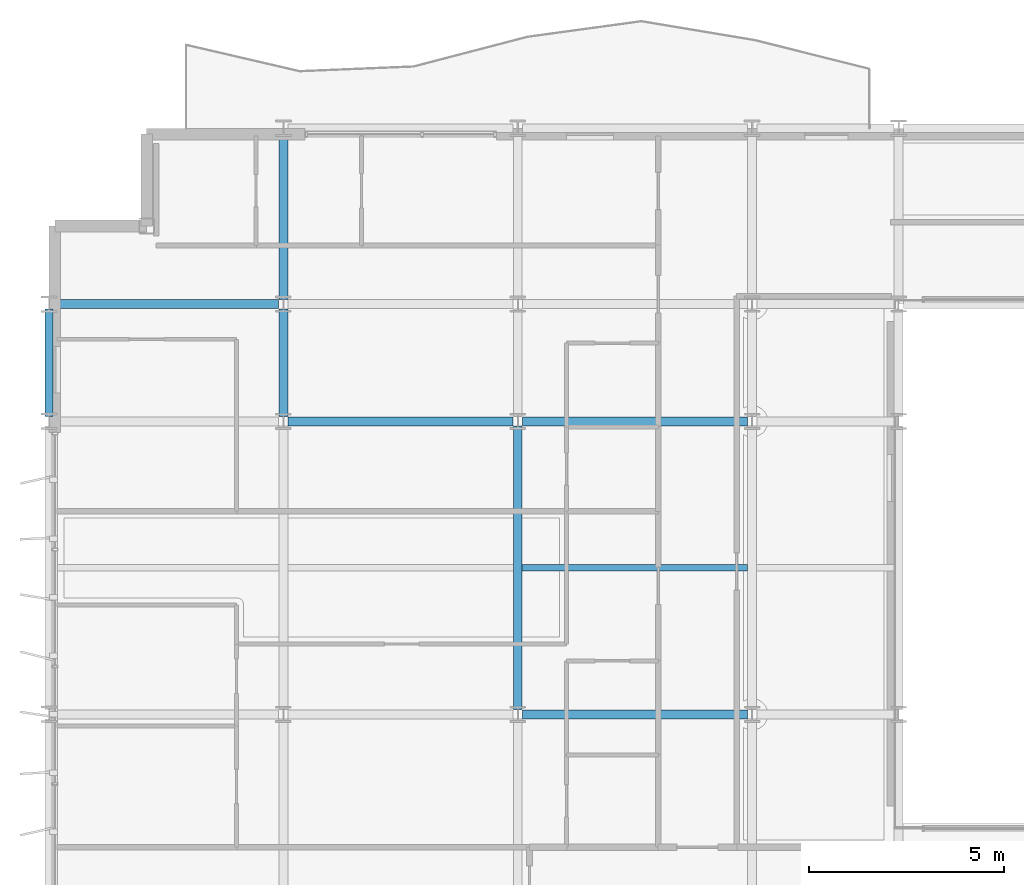
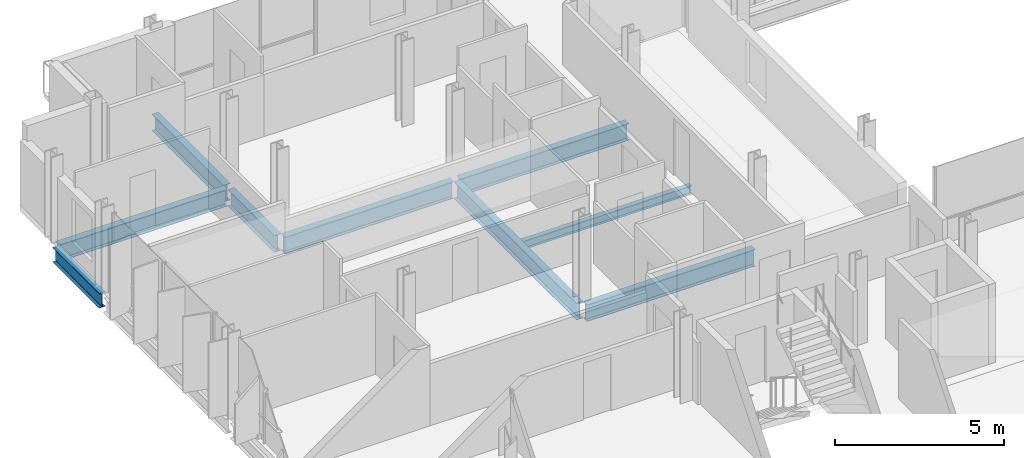
# One storey, part 8 of 40: 9 beams.
"""IFC4 building model written with IfcOpenShell, lengths in metres."""

from ifc_helpers import new_model, si_unit, direction, frame, origin, origin_2d, place, context, subcontext, project, spatial, i_section, extrude, material, material_profile, profile_set, type_object, element, save


model = new_model("IFC4")

# Units and contexts
model_context = context("Model", 3, precision=1e-05, world=origin(), true_north=direction((0.0, 1.0)))
body_context = subcontext(model_context, "Body", "Model", "MODEL_VIEW")
ifc_project = project(units=[si_unit("LENGTHUNIT", "METRE"), si_unit("AREAUNIT", "SQUARE_METRE"), si_unit("VOLUMEUNIT", "CUBIC_METRE"), si_unit("PLANEANGLEUNIT", "RADIAN"), si_unit("MASSUNIT", "GRAM", prefix="KILO")], contexts=[model_context])

# Site, building, storey
site_placement = place(None, origin())
site = spatial("IfcSite", under=ifc_project, at=site_placement, CompositionType="ELEMENT")
building_placement = place(site_placement, origin())
building = spatial("IfcBuilding", under=site, at=building_placement, Name="Brevholm Reach", CompositionType="ELEMENT")
storey_placement = place(building_placement, frame((0.0, 0.0, 160.39990234375)))
storey = spatial("IfcBuildingStorey", under=building, at=storey_placement, Name="L48", CompositionType="ELEMENT", Elevation=160.39990234375)

# Beams
ifc_material_1 = material(Name="Structural Steel S355J2", Category="steel")
ifc_material_profile_1 = material_profile(ifc_material_1, i_section(OverallWidth=0.1650390625, OverallDepth=0.303466796875, WebThickness=0.006103515625, FlangeThickness=0.01025390625, FilletRadius=0.0087890625, at=origin_2d()), Name="UKB 305x165x40")
ifc_profile_set_1 = profile_set([ifc_material_profile_1], Name="Structural Steel S355J2")
beam_type_1 = type_object("IfcBeamType", Name="BM-B305", PredefinedType="BEAM", material=ifc_profile_set_1)
beam_1_placement = place(storey_placement, frame((12.114501953125, 19.75, -0.37158203125), z_axis=(1.0, 0.0, 0.0), x_axis=(0.0, 1.0, 0.0)))
element("IfcBeam", 1, at=beam_1_placement, inside=storey, type_object=beam_type_1, Name="L48 Composite Secondary Floor Beam", PredefinedType="BEAM", context=body_context, shape_type="SweptSolid", body=[
    extrude(i_section(OverallWidth=0.1650390625, OverallDepth=0.303466796875, WebThickness=0.006103515625, FlangeThickness=0.01025390625, FilletRadius=0.0087890625, at=origin_2d()), origin(), (0.0, 0.0, 1.0), 5.77099609375),
])
ifc_material_2 = material(Name="Structural Steel S355J2", Category="steel")
ifc_material_profile_2 = material_profile(ifc_material_2, i_section(OverallWidth=0.209228515625, OverallDepth=0.533203125, WebThickness=0.010009765625, FlangeThickness=0.015625, FilletRadius=0.0126953125, at=origin_2d()), Name="UKB 533x210x92")
ifc_profile_set_2 = profile_set([ifc_material_profile_2], Name="Structural Steel S355J2")
beam_type_2 = type_object("IfcBeamType", Name="BM-SP533", PredefinedType="SPANDREL", material=ifc_profile_set_2)
beam_2_placement = place(storey_placement, frame((0.0, 23.6201171875, -0.486572265625), z_axis=(0.0, 1.0, 0.0), x_axis=(-1.0, 0.0, 0.0)))
element("IfcBeam", 2, at=beam_2_placement, inside=storey, type_object=beam_type_2, Name="L48 SP-02 Framing Beam", PredefinedType="SPANDREL", context=body_context, shape_type="SweptSolid", body=[
    extrude(i_section(OverallWidth=0.209228515625, OverallDepth=0.533203125, WebThickness=0.010009765625, FlangeThickness=0.015625, FilletRadius=0.0126953125, at=origin_2d()), origin(), (0.0, 0.0, 1.0), 2.759765625),
])
ifc_material_3 = material(Name="Structural Steel S355J2", Category="steel")
ifc_material_profile_3 = material_profile(ifc_material_3, i_section(OverallWidth=0.22900390625, OverallDepth=0.6123046875, WebThickness=0.011962890625, FlangeThickness=0.01953125, FilletRadius=0.0126953125, at=origin_2d()), Name="UKB 610x229x125")
ifc_profile_set_3 = profile_set([ifc_material_profile_3], Name="Structural Steel S355J2")
beam_type_3 = type_object("IfcBeamType", Name="BM-SP610", PredefinedType="SPANDREL", material=ifc_profile_set_3)
for number, where, z_axis, x_axis, name in (
    (3, (12.1201171875, 16.0, -0.526123046875), (1.0, 0.0, 0.0), (0.0, 1.0, 0.0), "L48 SP-01 Framing Beam"),
    (4, (6.1201171875, 23.5, -0.526123046875), (1.0, 0.0, 0.0), (0.0, 1.0, 0.0), "L48 SP-01 Framing Beam"),
    (5, (12.1201171875, 23.5, -0.526123046875), (1.0, 0.0, 0.0), (0.0, 1.0, 0.0), "L48 SP-01 Framing Beam"),
    (6, (0.1201171875, 26.5, -0.526123046875), (1.0, 0.0, 0.0), (0.0, 1.0, 0.0), "L48 SP-01 Framing Beam"),
):
    element("IfcBeam", number, at=place(storey_placement, frame(where, z_axis=z_axis, x_axis=x_axis)), inside=storey, type_object=beam_type_3, Name=name, PredefinedType="SPANDREL", context=body_context, shape_type="SweptSolid", body=[
        extrude(i_section(OverallWidth=0.22900390625, OverallDepth=0.6123046875, WebThickness=0.011962890625, FlangeThickness=0.01953125, FilletRadius=0.0126953125, at=origin_2d()), origin(), (0.0, 0.0, 1.0), 5.759765625),
    ])
beam_3_placement = place(storey_placement, frame((6.0, 23.6201171875, -0.526123046875), z_axis=(0.0, 1.0, 0.0), x_axis=(-1.0, 0.0, 0.0)))
element("IfcBeam", 7, at=beam_3_placement, inside=storey, type_object=beam_type_3, Name="L48 SP-01 Framing Beam", PredefinedType="SPANDREL", context=body_context, shape_type="SweptSolid", body=[
    extrude(i_section(OverallWidth=0.22900390625, OverallDepth=0.6123046875, WebThickness=0.011962890625, FlangeThickness=0.01953125, FilletRadius=0.0126953125, at=origin_2d()), origin(), (0.0, 0.0, 1.0), 2.759765625),
])
beam_4_placement = place(storey_placement, frame((6.0, 26.6201171875, -0.526123046875), z_axis=(0.0, 1.0, 0.0), x_axis=(-1.0, 0.0, 0.0)))
element("IfcBeam", 8, at=beam_4_placement, inside=storey, type_object=beam_type_3, Name="L48 SP-01 Framing Beam", PredefinedType="SPANDREL", context=body_context, shape_type="SweptSolid", body=[
    extrude(i_section(OverallWidth=0.22900390625, OverallDepth=0.6123046875, WebThickness=0.011962890625, FlangeThickness=0.01953125, FilletRadius=0.0126953125, at=origin_2d()), origin(), (0.0, 0.0, 1.0), 4.259765625),
])
beam_5_placement = place(storey_placement, frame((12.0, 16.1201171875, -0.526123046875), z_axis=(0.0, 1.0, 0.0), x_axis=(-1.0, 0.0, 0.0)))
element("IfcBeam", 9, at=beam_5_placement, inside=storey, type_object=beam_type_3, Name="L48 SP-01 Framing Beam", PredefinedType="SPANDREL", context=body_context, shape_type="SweptSolid", body=[
    extrude(i_section(OverallWidth=0.22900390625, OverallDepth=0.6123046875, WebThickness=0.011962890625, FlangeThickness=0.01953125, FilletRadius=0.0126953125, at=origin_2d()), origin(), (0.0, 0.0, 1.0), 7.259765625),
])

save(model, "model.ifc")
